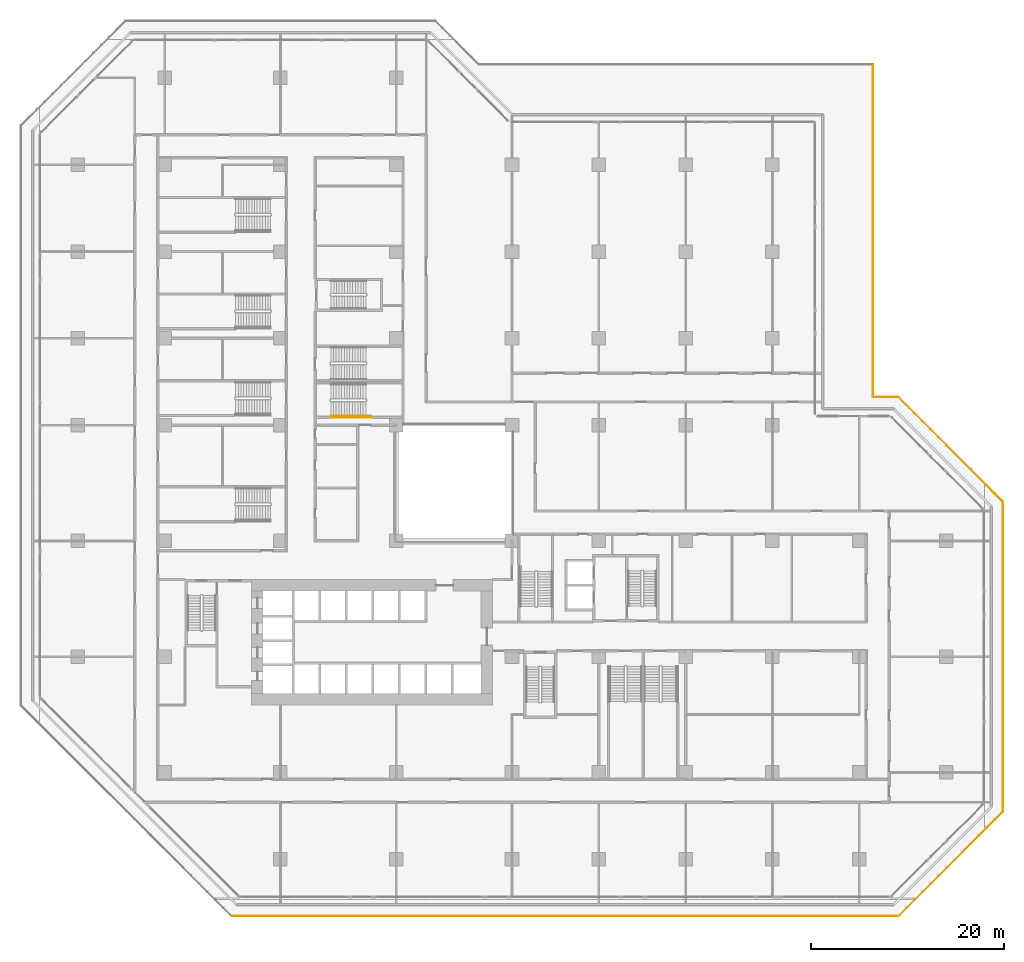
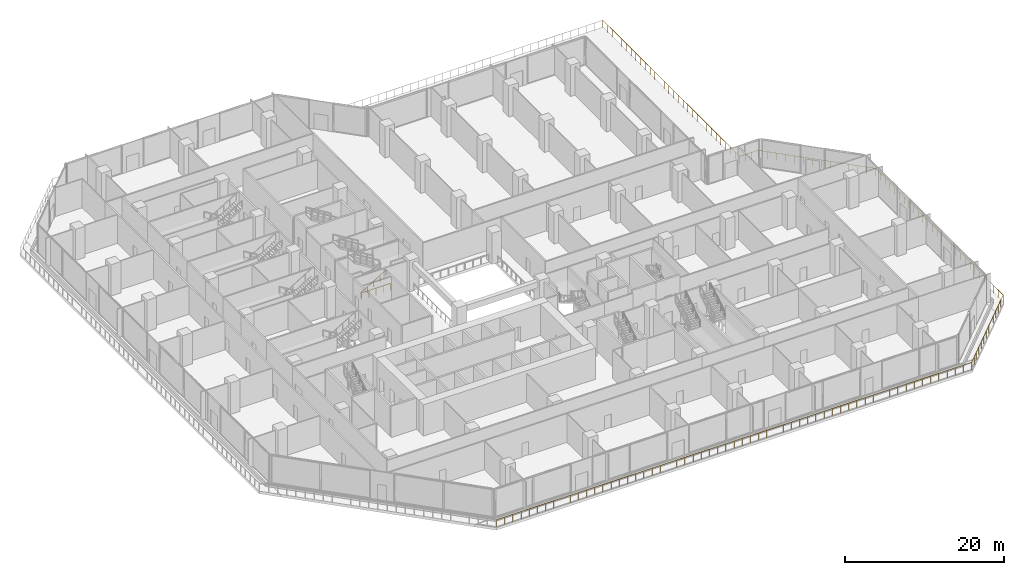
# One storey, part 29 of 31: 3 railings.
"""IFC4 building model written with IfcOpenShell, lengths in metres."""

from ifc_helpers import new_model, si_unit, direction, frame, origin, origin_2d, place, context, subcontext, project, spatial, rectangle, extrude, material, type_object, element, save


model = new_model("IFC4")

# Units and contexts
model_context = context("Model", 3, precision=1e-05, world=origin(), true_north=direction((0.0, 1.0)))
body_context = subcontext(model_context, "Body", "Model", "MODEL_VIEW")
ifc_project = project(units=[si_unit("LENGTHUNIT", "METRE"), si_unit("AREAUNIT", "SQUARE_METRE"), si_unit("VOLUMEUNIT", "CUBIC_METRE"), si_unit("PLANEANGLEUNIT", "RADIAN"), si_unit("MASSUNIT", "GRAM", prefix="KILO")], contexts=[model_context])

# Site, building, storey
site_placement = place(None, origin())
site = spatial("IfcSite", under=ifc_project, at=site_placement, CompositionType="ELEMENT")
building_placement = place(site_placement, origin())
building = spatial("IfcBuilding", under=site, at=building_placement, Name="Chenar Terraces", CompositionType="ELEMENT")
storey_placement = place(building_placement, frame((0.0, 0.0, 7.199951171875)))
storey = spatial("IfcBuildingStorey", under=building, at=storey_placement, Name="L01", CompositionType="ELEMENT", Elevation=7.199951171875)

# Railings
ifc_material_1 = material(Name="Powder-coated steel", Category="steel")
railing_type_1 = type_object("IfcRailingType", Name="Stair guard 1100", PredefinedType="GUARDRAIL", material=ifc_material_1)
railing_1_placement = place(storey_placement, frame((17.215087890625, 36.81005859375, 0.0)))
element("IfcRailing", 1, at=railing_1_placement, inside=storey, type_object=railing_type_1, Name="L01 PS7 stair guard 101", PredefinedType="GUARDRAIL", context=body_context, shape_type="SweptSolid", body=[
    extrude(rectangle(XDim=0.048095703125, YDim=0.048095703125, at=origin_2d()), frame((0.0, 0.0, 1.076171875), z_axis=(1.0, 0.0, 0.0), x_axis=(0.0, 1.0, 0.0)), (0.0, 0.0, 1.0), 4.169189453125),
    extrude(rectangle(XDim=0.0419921875, YDim=0.0419921875, at=origin_2d()), origin(), (0.0, 0.0, 1.0), 1.052001953125),
    extrude(rectangle(XDim=0.0419921875, YDim=0.0419921875, at=origin_2d()), frame((1.042236328125, 0.0, 0.0)), (0.0, 0.0, 1.0), 1.052001953125),
    extrude(rectangle(XDim=0.0419921875, YDim=0.0419921875, at=origin_2d()), frame((2.08447265625, 0.0, 0.0)), (0.0, 0.0, 1.0), 1.052001953125),
    extrude(rectangle(XDim=0.0419921875, YDim=0.0419921875, at=origin_2d()), frame((3.126953125, 0.0, 0.0)), (0.0, 0.0, 1.0), 1.052001953125),
    extrude(rectangle(XDim=0.0419921875, YDim=0.0419921875, at=origin_2d()), frame((4.169189453125, 0.0, 0.0)), (0.0, 0.0, 1.0), 1.052001953125),
])
ifc_material_2 = material(Name="Powder-coated steel", Category="steel")
railing_type_2 = type_object("IfcRailingType", Name="Stair handrail 900", PredefinedType="HANDRAIL", material=ifc_material_2)
railing_2_placement = place(storey_placement, frame((17.215087890625, 36.9599609375, 0.17138671875)))
element("IfcRailing", 2, at=railing_2_placement, inside=storey, type_object=railing_type_2, Name="L01 PS7 stair handrail 1", PredefinedType="HANDRAIL", context=body_context, shape_type="SweptSolid", body=[
    extrude(rectangle(XDim=0.048095703125, YDim=0.048095703125, at=origin_2d()), frame((0.0, 0.0, 0.8759765625), z_axis=(0.852824790078, 0.0, 0.522197163366), x_axis=(0.0, 1.0, 0.0)), (0.0, 0.0, 1.0), 4.26806640625),
    extrude(rectangle(XDim=0.0419921875, YDim=0.0419921875, at=origin_2d()), origin(), (0.0, 0.0, 1.0), 0.851806640625),
    extrude(rectangle(XDim=0.0419921875, YDim=0.0419921875, at=origin_2d()), frame((0.909912109375, 0.0, 0.55712890625)), (0.0, 0.0, 1.0), 0.851806640625),
    extrude(rectangle(XDim=0.0419921875, YDim=0.0419921875, at=origin_2d()), frame((1.81982421875, 0.0, 1.1142578125)), (0.0, 0.0, 1.0), 0.851806640625),
    extrude(rectangle(XDim=0.0419921875, YDim=0.0419921875, at=origin_2d()), frame((2.72998046875, 0.0, 1.671630859375)), (0.0, 0.0, 1.0), 0.851806640625),
    extrude(rectangle(XDim=0.0419921875, YDim=0.0419921875, at=origin_2d()), frame((3.639892578125, 0.0, 2.228759765625)), (0.0, 0.0, 1.0), 0.851806640625),
])
ifc_material_3 = material(Name="Stainless steel and glass", Category="steel")
railing_type_3 = type_object("IfcRailingType", Name="Terrace guard 1150", PredefinedType="GUARDRAIL", material=ifc_material_3)
railing_3_placement = place(storey_placement, frame((73.39990234375, 73.39990234375, 0.0)))
element("IfcRailing", 3, at=railing_3_placement, inside=storey, type_object=railing_type_3, Name="Terrace guard", PredefinedType="GUARDRAIL", context=body_context, shape_type="SweptSolid", body=[
    extrude(rectangle(XDim=0.048095703125, YDim=0.048095703125, at=origin_2d()), frame((0.0, 0.0, 1.1259765625), z_axis=(0.0, -1.0, 0.0), x_axis=(1.0, 0.0, 0.0)), (0.0, 0.0, 1.0), 34.5),
    extrude(rectangle(XDim=0.048095703125, YDim=0.048095703125, at=origin_2d()), frame((0.0, -34.5, 1.1259765625), z_axis=(1.0, 0.0, 0.0), x_axis=(0.0, 1.0, 0.0)), (0.0, 0.0, 1.0), 2.650634765625),
    extrude(rectangle(XDim=0.048095703125, YDim=0.048095703125, at=origin_2d()), frame((2.650634765625, -34.5, 1.1259765625), z_axis=(0.707106781187, -0.707106781187, 0.0), x_axis=(0.707106781187, 0.707106781187, 0.0)), (0.0, 0.0, 1.0), 15.34326171875),
    extrude(rectangle(XDim=0.048095703125, YDim=0.048095703125, at=origin_2d()), frame((13.5, -45.349365234375, 1.1259765625), z_axis=(0.0, -1.0, 0.0), x_axis=(1.0, 0.0, 0.0)), (0.0, 0.0, 1.0), 32.10107421875),
    extrude(rectangle(XDim=0.048095703125, YDim=0.048095703125, at=origin_2d()), frame((13.5, -77.450439453125, 1.1259765625), z_axis=(-0.707106781187, -0.707106781187, 0.0), x_axis=(0.707106781187, -0.707106781187, 0.0)), (0.0, 0.0, 1.0), 15.34326171875),
    extrude(rectangle(XDim=0.048095703125, YDim=0.048095703125, at=origin_2d()), frame((2.650634765625, -88.2998046875, 1.1259765625), z_axis=(-1.0, 0.0, 0.0), x_axis=(0.0, -1.0, 0.0)), (0.0, 0.0, 1.0), 69.10107421875),
    extrude(rectangle(XDim=0.0419921875, YDim=0.0419921875, at=origin_2d()), origin(), (0.0, 0.0, 1.0), 1.101806640625),
    extrude(rectangle(XDim=0.0419921875, YDim=0.0419921875, at=origin_2d()), frame((0.0, -1.189697265625, 0.0)), (0.0, 0.0, 1.0), 1.101806640625),
    extrude(rectangle(XDim=0.0419921875, YDim=0.0419921875, at=origin_2d()), frame((0.0, -2.37939453125, 0.0)), (0.0, 0.0, 1.0), 1.101806640625),
    extrude(rectangle(XDim=0.0419921875, YDim=0.0419921875, at=origin_2d()), frame((0.0, -3.56884765625, 0.0)), (0.0, 0.0, 1.0), 1.101806640625),
    extrude(rectangle(XDim=0.0419921875, YDim=0.0419921875, at=origin_2d()), frame((0.0, -4.758544921875, 0.0)), (0.0, 0.0, 1.0), 1.101806640625),
    extrude(rectangle(XDim=0.0419921875, YDim=0.0419921875, at=origin_2d()), frame((0.0, -5.9482421875, 0.0)), (0.0, 0.0, 1.0), 1.101806640625),
    extrude(rectangle(XDim=0.0419921875, YDim=0.0419921875, at=origin_2d()), frame((0.0, -7.137939453125, 0.0)), (0.0, 0.0, 1.0), 1.101806640625),
    extrude(rectangle(XDim=0.0419921875, YDim=0.0419921875, at=origin_2d()), frame((0.0, -8.32763671875, 0.0)), (0.0, 0.0, 1.0), 1.101806640625),
    extrude(rectangle(XDim=0.0419921875, YDim=0.0419921875, at=origin_2d()), frame((0.0, -9.517333984375, 0.0)), (0.0, 0.0, 1.0), 1.101806640625),
    extrude(rectangle(XDim=0.0419921875, YDim=0.0419921875, at=origin_2d()), frame((0.0, -10.706787109375, 0.0)), (0.0, 0.0, 1.0), 1.101806640625),
    extrude(rectangle(XDim=0.0419921875, YDim=0.0419921875, at=origin_2d()), frame((0.0, -11.896484375, 0.0)), (0.0, 0.0, 1.0), 1.101806640625),
    extrude(rectangle(XDim=0.0419921875, YDim=0.0419921875, at=origin_2d()), frame((0.0, -13.086181640625, 0.0)), (0.0, 0.0, 1.0), 1.101806640625),
    extrude(rectangle(XDim=0.0419921875, YDim=0.0419921875, at=origin_2d()), frame((0.0, -14.27587890625, 0.0)), (0.0, 0.0, 1.0), 1.101806640625),
    extrude(rectangle(XDim=0.0419921875, YDim=0.0419921875, at=origin_2d()), frame((0.0, -15.465576171875, 0.0)), (0.0, 0.0, 1.0), 1.101806640625),
    extrude(rectangle(XDim=0.0419921875, YDim=0.0419921875, at=origin_2d()), frame((0.0, -16.6552734375, 0.0)), (0.0, 0.0, 1.0), 1.101806640625),
    extrude(rectangle(XDim=0.0419921875, YDim=0.0419921875, at=origin_2d()), frame((0.0, -17.8447265625, 0.0)), (0.0, 0.0, 1.0), 1.101806640625),
    extrude(rectangle(XDim=0.0419921875, YDim=0.0419921875, at=origin_2d()), frame((0.0, -19.034423828125, 0.0)), (0.0, 0.0, 1.0), 1.101806640625),
    extrude(rectangle(XDim=0.0419921875, YDim=0.0419921875, at=origin_2d()), frame((0.0, -20.22412109375, 0.0)), (0.0, 0.0, 1.0), 1.101806640625),
    extrude(rectangle(XDim=0.0419921875, YDim=0.0419921875, at=origin_2d()), frame((0.0, -21.413818359375, 0.0)), (0.0, 0.0, 1.0), 1.101806640625),
    extrude(rectangle(XDim=0.0419921875, YDim=0.0419921875, at=origin_2d()), frame((0.0, -22.603515625, 0.0)), (0.0, 0.0, 1.0), 1.101806640625),
    extrude(rectangle(XDim=0.0419921875, YDim=0.0419921875, at=origin_2d()), frame((0.0, -23.793212890625, 0.0)), (0.0, 0.0, 1.0), 1.101806640625),
    extrude(rectangle(XDim=0.0419921875, YDim=0.0419921875, at=origin_2d()), frame((0.0, -24.982666015625, 0.0)), (0.0, 0.0, 1.0), 1.101806640625),
    extrude(rectangle(XDim=0.0419921875, YDim=0.0419921875, at=origin_2d()), frame((0.0, -26.17236328125, 0.0)), (0.0, 0.0, 1.0), 1.101806640625),
    extrude(rectangle(XDim=0.0419921875, YDim=0.0419921875, at=origin_2d()), frame((0.0, -27.362060546875, 0.0)), (0.0, 0.0, 1.0), 1.101806640625),
    extrude(rectangle(XDim=0.0419921875, YDim=0.0419921875, at=origin_2d()), frame((0.0, -28.5517578125, 0.0)), (0.0, 0.0, 1.0), 1.101806640625),
    extrude(rectangle(XDim=0.0419921875, YDim=0.0419921875, at=origin_2d()), frame((0.0, -29.741455078125, 0.0)), (0.0, 0.0, 1.0), 1.101806640625),
    extrude(rectangle(XDim=0.0419921875, YDim=0.0419921875, at=origin_2d()), frame((0.0, -30.93115234375, 0.0)), (0.0, 0.0, 1.0), 1.101806640625),
    extrude(rectangle(XDim=0.0419921875, YDim=0.0419921875, at=origin_2d()), frame((0.0, -32.12060546875, 0.0)), (0.0, 0.0, 1.0), 1.101806640625),
    extrude(rectangle(XDim=0.0419921875, YDim=0.0419921875, at=origin_2d()), frame((0.0, -33.310302734375, 0.0)), (0.0, 0.0, 1.0), 1.101806640625),
    extrude(rectangle(XDim=0.0419921875, YDim=0.0419921875, at=origin_2d()), frame((0.0, -34.5, 0.0)), (0.0, 0.0, 1.0), 1.101806640625),
    extrude(rectangle(XDim=0.0419921875, YDim=0.0419921875, at=origin_2d()), frame((0.883544921875, -34.5, 0.0)), (0.0, 0.0, 1.0), 1.101806640625),
    extrude(rectangle(XDim=0.0419921875, YDim=0.0419921875, at=origin_2d()), frame((1.76708984375, -34.5, 0.0)), (0.0, 0.0, 1.0), 1.101806640625),
    extrude(rectangle(XDim=0.0419921875, YDim=0.0419921875, at=origin_2d()), frame((2.650634765625, -34.5, 0.0)), (0.0, 0.0, 1.0), 1.101806640625),
    extrude(rectangle(XDim=0.0419921875, YDim=0.0419921875, at=origin_2d()), frame((3.485107421875, -35.33447265625, 0.0)), (0.0, 0.0, 1.0), 1.101806640625),
    extrude(rectangle(XDim=0.0419921875, YDim=0.0419921875, at=origin_2d()), frame((4.31982421875, -36.169189453125, 0.0)), (0.0, 0.0, 1.0), 1.101806640625),
    extrude(rectangle(XDim=0.0419921875, YDim=0.0419921875, at=origin_2d()), frame((5.154296875, -37.003662109375, 0.0)), (0.0, 0.0, 1.0), 1.101806640625),
    extrude(rectangle(XDim=0.0419921875, YDim=0.0419921875, at=origin_2d()), frame((5.989013671875, -37.83837890625, 0.0)), (0.0, 0.0, 1.0), 1.101806640625),
    extrude(rectangle(XDim=0.0419921875, YDim=0.0419921875, at=origin_2d()), frame((6.823486328125, -38.6728515625, 0.0)), (0.0, 0.0, 1.0), 1.101806640625),
    extrude(rectangle(XDim=0.0419921875, YDim=0.0419921875, at=origin_2d()), frame((7.657958984375, -39.50732421875, 0.0)), (0.0, 0.0, 1.0), 1.101806640625),
    extrude(rectangle(XDim=0.0419921875, YDim=0.0419921875, at=origin_2d()), frame((8.49267578125, -40.342041015625, 0.0)), (0.0, 0.0, 1.0), 1.101806640625),
    extrude(rectangle(XDim=0.0419921875, YDim=0.0419921875, at=origin_2d()), frame((9.3271484375, -41.176513671875, 0.0)), (0.0, 0.0, 1.0), 1.101806640625),
    extrude(rectangle(XDim=0.0419921875, YDim=0.0419921875, at=origin_2d()), frame((10.16162109375, -42.010986328125, 0.0)), (0.0, 0.0, 1.0), 1.101806640625),
    extrude(rectangle(XDim=0.0419921875, YDim=0.0419921875, at=origin_2d()), frame((10.996337890625, -42.845703125, 0.0)), (0.0, 0.0, 1.0), 1.101806640625),
    extrude(rectangle(XDim=0.0419921875, YDim=0.0419921875, at=origin_2d()), frame((11.830810546875, -43.68017578125, 0.0)), (0.0, 0.0, 1.0), 1.101806640625),
    extrude(rectangle(XDim=0.0419921875, YDim=0.0419921875, at=origin_2d()), frame((12.66552734375, -44.514892578125, 0.0)), (0.0, 0.0, 1.0), 1.101806640625),
    extrude(rectangle(XDim=0.0419921875, YDim=0.0419921875, at=origin_2d()), frame((13.5, -45.349365234375, 0.0)), (0.0, 0.0, 1.0), 1.101806640625),
    extrude(rectangle(XDim=0.0419921875, YDim=0.0419921875, at=origin_2d()), frame((13.5, -46.538330078125, 0.0)), (0.0, 0.0, 1.0), 1.101806640625),
    extrude(rectangle(XDim=0.0419921875, YDim=0.0419921875, at=origin_2d()), frame((13.5, -47.727294921875, 0.0)), (0.0, 0.0, 1.0), 1.101806640625),
    extrude(rectangle(XDim=0.0419921875, YDim=0.0419921875, at=origin_2d()), frame((13.5, -48.916259765625, 0.0)), (0.0, 0.0, 1.0), 1.101806640625),
    extrude(rectangle(XDim=0.0419921875, YDim=0.0419921875, at=origin_2d()), frame((13.5, -50.10498046875, 0.0)), (0.0, 0.0, 1.0), 1.101806640625),
    extrude(rectangle(XDim=0.0419921875, YDim=0.0419921875, at=origin_2d()), frame((13.5, -51.2939453125, 0.0)), (0.0, 0.0, 1.0), 1.101806640625),
    extrude(rectangle(XDim=0.0419921875, YDim=0.0419921875, at=origin_2d()), frame((13.5, -52.48291015625, 0.0)), (0.0, 0.0, 1.0), 1.101806640625),
    extrude(rectangle(XDim=0.0419921875, YDim=0.0419921875, at=origin_2d()), frame((13.5, -53.671875, 0.0)), (0.0, 0.0, 1.0), 1.101806640625),
    extrude(rectangle(XDim=0.0419921875, YDim=0.0419921875, at=origin_2d()), frame((13.5, -54.86083984375, 0.0)), (0.0, 0.0, 1.0), 1.101806640625),
    extrude(rectangle(XDim=0.0419921875, YDim=0.0419921875, at=origin_2d()), frame((13.5, -56.0498046875, 0.0)), (0.0, 0.0, 1.0), 1.101806640625),
    extrude(rectangle(XDim=0.0419921875, YDim=0.0419921875, at=origin_2d()), frame((13.5, -57.23876953125, 0.0)), (0.0, 0.0, 1.0), 1.101806640625),
    extrude(rectangle(XDim=0.0419921875, YDim=0.0419921875, at=origin_2d()), frame((13.5, -58.427490234375, 0.0)), (0.0, 0.0, 1.0), 1.101806640625),
    extrude(rectangle(XDim=0.0419921875, YDim=0.0419921875, at=origin_2d()), frame((13.5, -59.616455078125, 0.0)), (0.0, 0.0, 1.0), 1.101806640625),
    extrude(rectangle(XDim=0.0419921875, YDim=0.0419921875, at=origin_2d()), frame((13.5, -60.805419921875, 0.0)), (0.0, 0.0, 1.0), 1.101806640625),
    extrude(rectangle(XDim=0.0419921875, YDim=0.0419921875, at=origin_2d()), frame((13.5, -61.994384765625, 0.0)), (0.0, 0.0, 1.0), 1.101806640625),
    extrude(rectangle(XDim=0.0419921875, YDim=0.0419921875, at=origin_2d()), frame((13.5, -63.183349609375, 0.0)), (0.0, 0.0, 1.0), 1.101806640625),
    extrude(rectangle(XDim=0.0419921875, YDim=0.0419921875, at=origin_2d()), frame((13.5, -64.372314453125, 0.0)), (0.0, 0.0, 1.0), 1.101806640625),
    extrude(rectangle(XDim=0.0419921875, YDim=0.0419921875, at=origin_2d()), frame((13.5, -65.56103515625, 0.0)), (0.0, 0.0, 1.0), 1.101806640625),
    extrude(rectangle(XDim=0.0419921875, YDim=0.0419921875, at=origin_2d()), frame((13.5, -66.75, 0.0)), (0.0, 0.0, 1.0), 1.101806640625),
    extrude(rectangle(XDim=0.0419921875, YDim=0.0419921875, at=origin_2d()), frame((13.5, -67.93896484375, 0.0)), (0.0, 0.0, 1.0), 1.101806640625),
    extrude(rectangle(XDim=0.0419921875, YDim=0.0419921875, at=origin_2d()), frame((13.5, -69.1279296875, 0.0)), (0.0, 0.0, 1.0), 1.101806640625),
    extrude(rectangle(XDim=0.0419921875, YDim=0.0419921875, at=origin_2d()), frame((13.5, -70.31689453125, 0.0)), (0.0, 0.0, 1.0), 1.101806640625),
    extrude(rectangle(XDim=0.0419921875, YDim=0.0419921875, at=origin_2d()), frame((13.5, -71.505859375, 0.0)), (0.0, 0.0, 1.0), 1.101806640625),
    extrude(rectangle(XDim=0.0419921875, YDim=0.0419921875, at=origin_2d()), frame((13.5, -72.69482421875, 0.0)), (0.0, 0.0, 1.0), 1.101806640625),
    extrude(rectangle(XDim=0.0419921875, YDim=0.0419921875, at=origin_2d()), frame((13.5, -73.883544921875, 0.0)), (0.0, 0.0, 1.0), 1.101806640625),
    extrude(rectangle(XDim=0.0419921875, YDim=0.0419921875, at=origin_2d()), frame((13.5, -75.072509765625, 0.0)), (0.0, 0.0, 1.0), 1.101806640625),
    extrude(rectangle(XDim=0.0419921875, YDim=0.0419921875, at=origin_2d()), frame((13.5, -76.261474609375, 0.0)), (0.0, 0.0, 1.0), 1.101806640625),
    extrude(rectangle(XDim=0.0419921875, YDim=0.0419921875, at=origin_2d()), frame((13.5, -77.450439453125, 0.0)), (0.0, 0.0, 1.0), 1.101806640625),
    extrude(rectangle(XDim=0.0419921875, YDim=0.0419921875, at=origin_2d()), frame((12.66552734375, -78.284912109375, 0.0)), (0.0, 0.0, 1.0), 1.101806640625),
    extrude(rectangle(XDim=0.0419921875, YDim=0.0419921875, at=origin_2d()), frame((11.830810546875, -79.11962890625, 0.0)), (0.0, 0.0, 1.0), 1.101806640625),
    extrude(rectangle(XDim=0.0419921875, YDim=0.0419921875, at=origin_2d()), frame((10.996337890625, -79.9541015625, 0.0)), (0.0, 0.0, 1.0), 1.101806640625),
    extrude(rectangle(XDim=0.0419921875, YDim=0.0419921875, at=origin_2d()), frame((10.16162109375, -80.788818359375, 0.0)), (0.0, 0.0, 1.0), 1.101806640625),
    extrude(rectangle(XDim=0.0419921875, YDim=0.0419921875, at=origin_2d()), frame((9.3271484375, -81.623291015625, 0.0)), (0.0, 0.0, 1.0), 1.101806640625),
    extrude(rectangle(XDim=0.0419921875, YDim=0.0419921875, at=origin_2d()), frame((8.49267578125, -82.457763671875, 0.0)), (0.0, 0.0, 1.0), 1.101806640625),
    extrude(rectangle(XDim=0.0419921875, YDim=0.0419921875, at=origin_2d()), frame((7.657958984375, -83.29248046875, 0.0)), (0.0, 0.0, 1.0), 1.101806640625),
    extrude(rectangle(XDim=0.0419921875, YDim=0.0419921875, at=origin_2d()), frame((6.823486328125, -84.126953125, 0.0)), (0.0, 0.0, 1.0), 1.101806640625),
    extrude(rectangle(XDim=0.0419921875, YDim=0.0419921875, at=origin_2d()), frame((5.989013671875, -84.96142578125, 0.0)), (0.0, 0.0, 1.0), 1.101806640625),
    extrude(rectangle(XDim=0.0419921875, YDim=0.0419921875, at=origin_2d()), frame((5.154296875, -85.796142578125, 0.0)), (0.0, 0.0, 1.0), 1.101806640625),
    extrude(rectangle(XDim=0.0419921875, YDim=0.0419921875, at=origin_2d()), frame((4.31982421875, -86.630615234375, 0.0)), (0.0, 0.0, 1.0), 1.101806640625),
    extrude(rectangle(XDim=0.0419921875, YDim=0.0419921875, at=origin_2d()), frame((3.485107421875, -87.46533203125, 0.0)), (0.0, 0.0, 1.0), 1.101806640625),
    extrude(rectangle(XDim=0.0419921875, YDim=0.0419921875, at=origin_2d()), frame((2.650634765625, -88.2998046875, 0.0)), (0.0, 0.0, 1.0), 1.101806640625),
    extrude(rectangle(XDim=0.0419921875, YDim=0.0419921875, at=origin_2d()), frame((1.459228515625, -88.2998046875, 0.0)), (0.0, 0.0, 1.0), 1.101806640625),
    extrude(rectangle(XDim=0.0419921875, YDim=0.0419921875, at=origin_2d()), frame((0.267822265625, -88.2998046875, 0.0)), (0.0, 0.0, 1.0), 1.101806640625),
    extrude(rectangle(XDim=0.0419921875, YDim=0.0419921875, at=origin_2d()), frame((-0.923583984375, -88.2998046875, 0.0)), (0.0, 0.0, 1.0), 1.101806640625),
    extrude(rectangle(XDim=0.0419921875, YDim=0.0419921875, at=origin_2d()), frame((-2.114990234375, -88.2998046875, 0.0)), (0.0, 0.0, 1.0), 1.101806640625),
    extrude(rectangle(XDim=0.0419921875, YDim=0.0419921875, at=origin_2d()), frame((-3.306396484375, -88.2998046875, 0.0)), (0.0, 0.0, 1.0), 1.101806640625),
    extrude(rectangle(XDim=0.0419921875, YDim=0.0419921875, at=origin_2d()), frame((-4.497802734375, -88.2998046875, 0.0)), (0.0, 0.0, 1.0), 1.101806640625),
    extrude(rectangle(XDim=0.0419921875, YDim=0.0419921875, at=origin_2d()), frame((-5.689208984375, -88.2998046875, 0.0)), (0.0, 0.0, 1.0), 1.101806640625),
    extrude(rectangle(XDim=0.0419921875, YDim=0.0419921875, at=origin_2d()), frame((-6.880615234375, -88.2998046875, 0.0)), (0.0, 0.0, 1.0), 1.101806640625),
    extrude(rectangle(XDim=0.0419921875, YDim=0.0419921875, at=origin_2d()), frame((-8.072021484375, -88.2998046875, 0.0)), (0.0, 0.0, 1.0), 1.101806640625),
    extrude(rectangle(XDim=0.0419921875, YDim=0.0419921875, at=origin_2d()), frame((-9.263427734375, -88.2998046875, 0.0)), (0.0, 0.0, 1.0), 1.101806640625),
    extrude(rectangle(XDim=0.0419921875, YDim=0.0419921875, at=origin_2d()), frame((-10.454833984375, -88.2998046875, 0.0)), (0.0, 0.0, 1.0), 1.101806640625),
    extrude(rectangle(XDim=0.0419921875, YDim=0.0419921875, at=origin_2d()), frame((-11.646240234375, -88.2998046875, 0.0)), (0.0, 0.0, 1.0), 1.101806640625),
    extrude(rectangle(XDim=0.0419921875, YDim=0.0419921875, at=origin_2d()), frame((-12.837646484375, -88.2998046875, 0.0)), (0.0, 0.0, 1.0), 1.101806640625),
    extrude(rectangle(XDim=0.0419921875, YDim=0.0419921875, at=origin_2d()), frame((-14.029052734375, -88.2998046875, 0.0)), (0.0, 0.0, 1.0), 1.101806640625),
    extrude(rectangle(XDim=0.0419921875, YDim=0.0419921875, at=origin_2d()), frame((-15.22021484375, -88.2998046875, 0.0)), (0.0, 0.0, 1.0), 1.101806640625),
    extrude(rectangle(XDim=0.0419921875, YDim=0.0419921875, at=origin_2d()), frame((-16.41162109375, -88.2998046875, 0.0)), (0.0, 0.0, 1.0), 1.101806640625),
    extrude(rectangle(XDim=0.0419921875, YDim=0.0419921875, at=origin_2d()), frame((-17.60302734375, -88.2998046875, 0.0)), (0.0, 0.0, 1.0), 1.101806640625),
    extrude(rectangle(XDim=0.0419921875, YDim=0.0419921875, at=origin_2d()), frame((-18.79443359375, -88.2998046875, 0.0)), (0.0, 0.0, 1.0), 1.101806640625),
    extrude(rectangle(XDim=0.0419921875, YDim=0.0419921875, at=origin_2d()), frame((-19.98583984375, -88.2998046875, 0.0)), (0.0, 0.0, 1.0), 1.101806640625),
    extrude(rectangle(XDim=0.0419921875, YDim=0.0419921875, at=origin_2d()), frame((-21.17724609375, -88.2998046875, 0.0)), (0.0, 0.0, 1.0), 1.101806640625),
    extrude(rectangle(XDim=0.0419921875, YDim=0.0419921875, at=origin_2d()), frame((-22.36865234375, -88.2998046875, 0.0)), (0.0, 0.0, 1.0), 1.101806640625),
    extrude(rectangle(XDim=0.0419921875, YDim=0.0419921875, at=origin_2d()), frame((-23.56005859375, -88.2998046875, 0.0)), (0.0, 0.0, 1.0), 1.101806640625),
    extrude(rectangle(XDim=0.0419921875, YDim=0.0419921875, at=origin_2d()), frame((-24.75146484375, -88.2998046875, 0.0)), (0.0, 0.0, 1.0), 1.101806640625),
    extrude(rectangle(XDim=0.0419921875, YDim=0.0419921875, at=origin_2d()), frame((-25.94287109375, -88.2998046875, 0.0)), (0.0, 0.0, 1.0), 1.101806640625),
    extrude(rectangle(XDim=0.0419921875, YDim=0.0419921875, at=origin_2d()), frame((-27.13427734375, -88.2998046875, 0.0)), (0.0, 0.0, 1.0), 1.101806640625),
    extrude(rectangle(XDim=0.0419921875, YDim=0.0419921875, at=origin_2d()), frame((-28.32568359375, -88.2998046875, 0.0)), (0.0, 0.0, 1.0), 1.101806640625),
    extrude(rectangle(XDim=0.0419921875, YDim=0.0419921875, at=origin_2d()), frame((-29.51708984375, -88.2998046875, 0.0)), (0.0, 0.0, 1.0), 1.101806640625),
    extrude(rectangle(XDim=0.0419921875, YDim=0.0419921875, at=origin_2d()), frame((-30.70849609375, -88.2998046875, 0.0)), (0.0, 0.0, 1.0), 1.101806640625),
    extrude(rectangle(XDim=0.0419921875, YDim=0.0419921875, at=origin_2d()), frame((-31.89990234375, -88.2998046875, 0.0)), (0.0, 0.0, 1.0), 1.101806640625),
    extrude(rectangle(XDim=0.0419921875, YDim=0.0419921875, at=origin_2d()), frame((-33.09130859375, -88.2998046875, 0.0)), (0.0, 0.0, 1.0), 1.101806640625),
    extrude(rectangle(XDim=0.0419921875, YDim=0.0419921875, at=origin_2d()), frame((-34.28271484375, -88.2998046875, 0.0)), (0.0, 0.0, 1.0), 1.101806640625),
    extrude(rectangle(XDim=0.0419921875, YDim=0.0419921875, at=origin_2d()), frame((-35.47412109375, -88.2998046875, 0.0)), (0.0, 0.0, 1.0), 1.101806640625),
    extrude(rectangle(XDim=0.0419921875, YDim=0.0419921875, at=origin_2d()), frame((-36.66552734375, -88.2998046875, 0.0)), (0.0, 0.0, 1.0), 1.101806640625),
    extrude(rectangle(XDim=0.0419921875, YDim=0.0419921875, at=origin_2d()), frame((-37.85693359375, -88.2998046875, 0.0)), (0.0, 0.0, 1.0), 1.101806640625),
    extrude(rectangle(XDim=0.0419921875, YDim=0.0419921875, at=origin_2d()), frame((-39.04833984375, -88.2998046875, 0.0)), (0.0, 0.0, 1.0), 1.101806640625),
    extrude(rectangle(XDim=0.0419921875, YDim=0.0419921875, at=origin_2d()), frame((-40.23974609375, -88.2998046875, 0.0)), (0.0, 0.0, 1.0), 1.101806640625),
    extrude(rectangle(XDim=0.0419921875, YDim=0.0419921875, at=origin_2d()), frame((-41.43115234375, -88.2998046875, 0.0)), (0.0, 0.0, 1.0), 1.101806640625),
    extrude(rectangle(XDim=0.0419921875, YDim=0.0419921875, at=origin_2d()), frame((-42.62255859375, -88.2998046875, 0.0)), (0.0, 0.0, 1.0), 1.101806640625),
    extrude(rectangle(XDim=0.0419921875, YDim=0.0419921875, at=origin_2d()), frame((-43.81396484375, -88.2998046875, 0.0)), (0.0, 0.0, 1.0), 1.101806640625),
    extrude(rectangle(XDim=0.0419921875, YDim=0.0419921875, at=origin_2d()), frame((-45.00537109375, -88.2998046875, 0.0)), (0.0, 0.0, 1.0), 1.101806640625),
    extrude(rectangle(XDim=0.0419921875, YDim=0.0419921875, at=origin_2d()), frame((-46.19677734375, -88.2998046875, 0.0)), (0.0, 0.0, 1.0), 1.101806640625),
    extrude(rectangle(XDim=0.0419921875, YDim=0.0419921875, at=origin_2d()), frame((-47.38818359375, -88.2998046875, 0.0)), (0.0, 0.0, 1.0), 1.101806640625),
    extrude(rectangle(XDim=0.0419921875, YDim=0.0419921875, at=origin_2d()), frame((-48.57958984375, -88.2998046875, 0.0)), (0.0, 0.0, 1.0), 1.101806640625),
    extrude(rectangle(XDim=0.0419921875, YDim=0.0419921875, at=origin_2d()), frame((-49.770751953125, -88.2998046875, 0.0)), (0.0, 0.0, 1.0), 1.101806640625),
    extrude(rectangle(XDim=0.0419921875, YDim=0.0419921875, at=origin_2d()), frame((-50.962158203125, -88.2998046875, 0.0)), (0.0, 0.0, 1.0), 1.101806640625),
    extrude(rectangle(XDim=0.0419921875, YDim=0.0419921875, at=origin_2d()), frame((-52.153564453125, -88.2998046875, 0.0)), (0.0, 0.0, 1.0), 1.101806640625),
    extrude(rectangle(XDim=0.0419921875, YDim=0.0419921875, at=origin_2d()), frame((-53.344970703125, -88.2998046875, 0.0)), (0.0, 0.0, 1.0), 1.101806640625),
    extrude(rectangle(XDim=0.0419921875, YDim=0.0419921875, at=origin_2d()), frame((-54.536376953125, -88.2998046875, 0.0)), (0.0, 0.0, 1.0), 1.101806640625),
    extrude(rectangle(XDim=0.0419921875, YDim=0.0419921875, at=origin_2d()), frame((-55.727783203125, -88.2998046875, 0.0)), (0.0, 0.0, 1.0), 1.101806640625),
    extrude(rectangle(XDim=0.0419921875, YDim=0.0419921875, at=origin_2d()), frame((-56.919189453125, -88.2998046875, 0.0)), (0.0, 0.0, 1.0), 1.101806640625),
    extrude(rectangle(XDim=0.0419921875, YDim=0.0419921875, at=origin_2d()), frame((-58.110595703125, -88.2998046875, 0.0)), (0.0, 0.0, 1.0), 1.101806640625),
    extrude(rectangle(XDim=0.0419921875, YDim=0.0419921875, at=origin_2d()), frame((-59.302001953125, -88.2998046875, 0.0)), (0.0, 0.0, 1.0), 1.101806640625),
    extrude(rectangle(XDim=0.0419921875, YDim=0.0419921875, at=origin_2d()), frame((-60.493408203125, -88.2998046875, 0.0)), (0.0, 0.0, 1.0), 1.101806640625),
    extrude(rectangle(XDim=0.0419921875, YDim=0.0419921875, at=origin_2d()), frame((-61.684814453125, -88.2998046875, 0.0)), (0.0, 0.0, 1.0), 1.101806640625),
    extrude(rectangle(XDim=0.0419921875, YDim=0.0419921875, at=origin_2d()), frame((-62.876220703125, -88.2998046875, 0.0)), (0.0, 0.0, 1.0), 1.101806640625),
    extrude(rectangle(XDim=0.0419921875, YDim=0.0419921875, at=origin_2d()), frame((-64.067626953125, -88.2998046875, 0.0)), (0.0, 0.0, 1.0), 1.101806640625),
    extrude(rectangle(XDim=0.0419921875, YDim=0.0419921875, at=origin_2d()), frame((-65.259033203125, -88.2998046875, 0.0)), (0.0, 0.0, 1.0), 1.101806640625),
    extrude(rectangle(XDim=0.0419921875, YDim=0.0419921875, at=origin_2d()), frame((-66.450439453125, -88.2998046875, 0.0)), (0.0, 0.0, 1.0), 1.101806640625),
])

save(model, "model.ifc")
